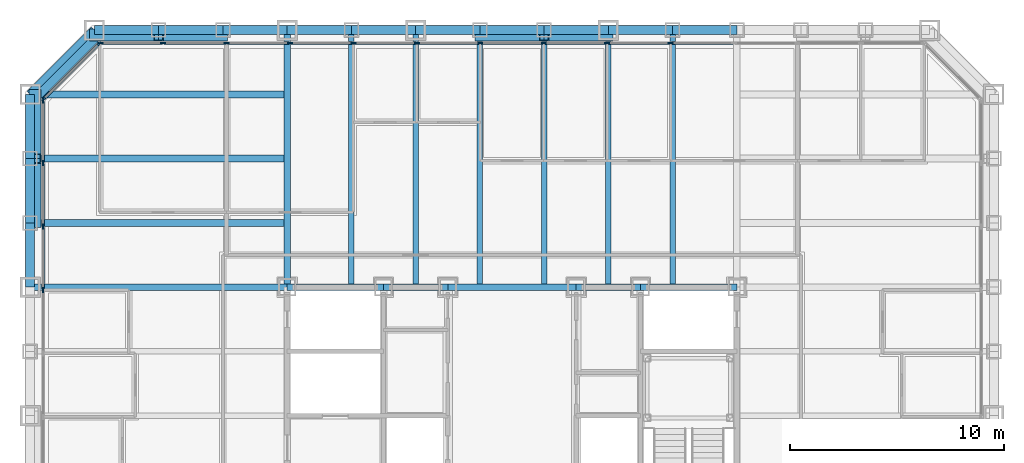
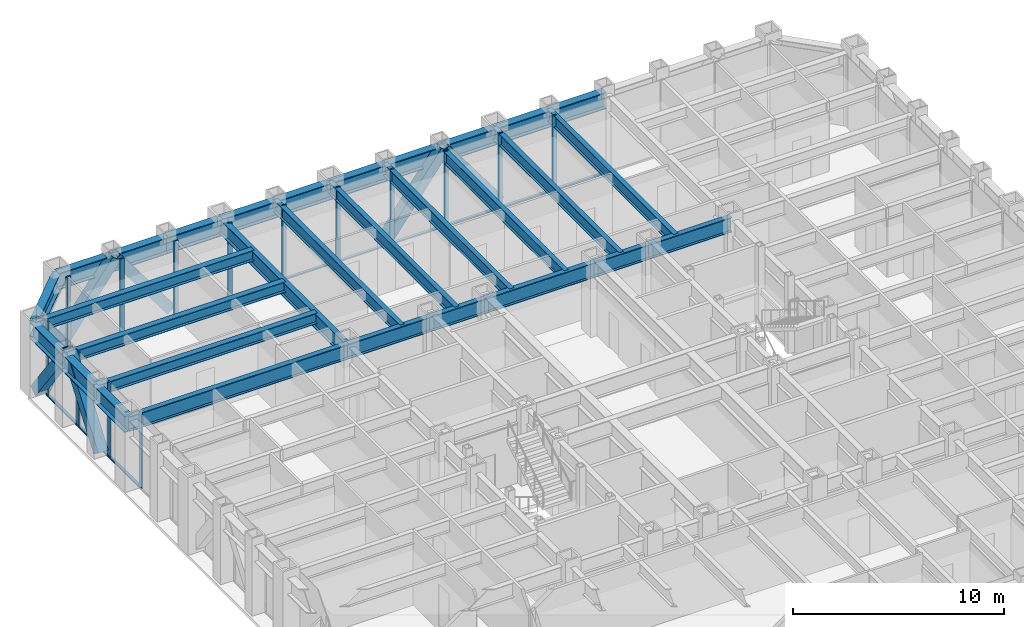
# One storey, part 5 of 16: 37 members, 30 beams, 3 elements without a shape of their own.
"""IFC4 building model written with IfcOpenShell, lengths in metres."""

from ifc_helpers import new_model, si_unit, direction, frame, origin, origin_2d, place, context, subcontext, project, spatial, rectangle, hollow_rectangle, i_section, extrude, material, layer, layer_set, material_profile, profile_set, type_object, element, aggregate, save


model = new_model("IFC4")

# Units and contexts
model_context = context("Model", 3, precision=1e-05, world=origin(), true_north=direction((0.0, 1.0)))
body_context = subcontext(model_context, "Body", "Model", "MODEL_VIEW")
ifc_project = project(units=[si_unit("LENGTHUNIT", "METRE"), si_unit("AREAUNIT", "SQUARE_METRE"), si_unit("VOLUMEUNIT", "CUBIC_METRE"), si_unit("PLANEANGLEUNIT", "RADIAN"), si_unit("MASSUNIT", "GRAM", prefix="KILO")], contexts=[model_context])

# Site, building, storey
site_placement = place(None, origin())
site = spatial("IfcSite", under=ifc_project, at=site_placement, CompositionType="ELEMENT")
building_placement = place(site_placement, origin())
building = spatial("IfcBuilding", under=site, at=building_placement, Name="Chuquiago Exchange Tower", CompositionType="ELEMENT")
storey_placement = place(building_placement, frame((0.0, 0.0, 78.300048828125)))
storey = spatial("IfcBuildingStorey", under=building, at=storey_placement, Name="L16", CompositionType="ELEMENT", Elevation=78.300048828125)

# Beams
ifc_material_1 = material(Name="Steel ASTM A992", Category="steel")
ifc_material_profile_1 = material_profile(ifc_material_1, i_section(OverallWidth=0.2919921875, OverallDepth=0.8583984375, WebThickness=0.01708984375, FlangeThickness=0.031005859375, at=origin_2d()), Name="W33X169")
ifc_profile_set_1 = profile_set([ifc_material_profile_1], Name="Steel ASTM A992")
beam_type_1 = type_object("IfcBeamType", Name="B3 W33X169", PredefinedType="BEAM", material=ifc_profile_set_1)
beam_1_placement = place(storey_placement, frame((12.0, 33.0, 3.610595703125), z_axis=(1.0, 0.0, 0.0), x_axis=(0.0, 1.0, 0.0)))
element("IfcBeam", 1, at=beam_1_placement, inside=storey, type_object=beam_type_1, Name="CB-L17-12_33-16.5_33", PredefinedType="BEAM", context=body_context, shape_type="SweptSolid", body=[
    extrude(i_section(OverallWidth=0.2919921875, OverallDepth=0.8583984375, WebThickness=0.01708984375, FlangeThickness=0.031005859375, at=origin_2d()), origin(), (0.0, 0.0, 1.0), 4.5),
])
beam_2_placement = place(storey_placement, frame((16.5, 33.0, 3.610595703125), z_axis=(1.0, 0.0, 0.0), x_axis=(0.0, 1.0, 0.0)))
element("IfcBeam", 2, at=beam_2_placement, inside=storey, type_object=beam_type_1, Name="CB-L17-16.5_33-19.5_33", PredefinedType="BEAM", context=body_context, shape_type="SweptSolid", body=[
    extrude(i_section(OverallWidth=0.2919921875, OverallDepth=0.8583984375, WebThickness=0.01708984375, FlangeThickness=0.031005859375, at=origin_2d()), origin(), (0.0, 0.0, 1.0), 3.0),
])
beam_3_placement = place(storey_placement, frame((19.5, 33.0, 3.610595703125), z_axis=(1.0, 0.0, 0.0), x_axis=(0.0, 1.0, 0.0)))
element("IfcBeam", 3, at=beam_3_placement, inside=storey, type_object=beam_type_1, Name="CB-L17-19.5_33-25.5_33", PredefinedType="BEAM", context=body_context, shape_type="SweptSolid", body=[
    extrude(i_section(OverallWidth=0.2919921875, OverallDepth=0.8583984375, WebThickness=0.01708984375, FlangeThickness=0.031005859375, at=origin_2d()), origin(), (0.0, 0.0, 1.0), 6.0),
])
beam_4_placement = place(storey_placement, frame((25.5, 33.0, 3.610595703125), z_axis=(1.0, 0.0, 0.0), x_axis=(0.0, 1.0, 0.0)))
element("IfcBeam", 4, at=beam_4_placement, inside=storey, type_object=beam_type_1, Name="CB-L17-25.5_33-28.5_33", PredefinedType="BEAM", context=body_context, shape_type="SweptSolid", body=[
    extrude(i_section(OverallWidth=0.2919921875, OverallDepth=0.8583984375, WebThickness=0.01708984375, FlangeThickness=0.031005859375, at=origin_2d()), origin(), (0.0, 0.0, 1.0), 3.0),
])
beam_5_placement = place(storey_placement, frame((28.5, 33.0, 3.610595703125), z_axis=(1.0, 0.0, 0.0), x_axis=(0.0, 1.0, 0.0)))
element("IfcBeam", 5, at=beam_5_placement, inside=storey, type_object=beam_type_1, Name="CB-L17-28.5_33-33_33", PredefinedType="BEAM", context=body_context, shape_type="SweptSolid", body=[
    extrude(i_section(OverallWidth=0.2919921875, OverallDepth=0.8583984375, WebThickness=0.01708984375, FlangeThickness=0.031005859375, at=origin_2d()), origin(), (0.0, 0.0, 1.0), 4.5),
])
ifc_material_2 = material(Name="Steel ASTM A992", Category="steel")
ifc_material_profile_2 = material_profile(ifc_material_2, i_section(OverallWidth=0.256591796875, OverallDepth=0.693359375, WebThickness=0.014404296875, FlangeThickness=0.023681640625, at=origin_2d()), Name="W27X114")
ifc_profile_set_2 = profile_set([ifc_material_profile_2], Name="Steel ASTM A992")
beam_type_2 = type_object("IfcBeamType", Name="B4 W27X114", PredefinedType="BEAM", material=ifc_profile_set_2)
for number, where, z_axis, x_axis, name in (
    (6, (15.0, 33.0, 3.693359375), (0.0, 1.0, 0.0), (-1.0, 0.0, 0.0), "FB-L17-infill-15_33-15_45-0"),
    (7, (18.0, 33.0, 3.693359375), (0.0, 1.0, 0.0), (-1.0, 0.0, 0.0), "FB-L17-infill-18_33-18_45-0"),
    (8, (21.0, 33.0, 3.693359375), (0.0, 1.0, 0.0), (-1.0, 0.0, 0.0), "FB-L17-infill-21_33-21_45-0"),
    (9, (24.0, 33.0, 3.693359375), (0.0, 1.0, 0.0), (-1.0, 0.0, 0.0), "FB-L17-infill-24_33-24_45-0"),
    (10, (27.0, 33.0, 3.693359375), (0.0, 1.0, 0.0), (-1.0, 0.0, 0.0), "FB-L17-infill-27_33-27_45-0"),
    (11, (30.0, 33.0, 3.693359375), (0.0, 1.0, 0.0), (-1.0, 0.0, 0.0), "FB-L17-infill-30_33-30_45-0"),
):
    element("IfcBeam", number, at=place(storey_placement, frame(where, z_axis=z_axis, x_axis=x_axis)), inside=storey, type_object=beam_type_2, Name=name, PredefinedType="BEAM", context=body_context, shape_type="SweptSolid", body=[
        extrude(i_section(OverallWidth=0.256591796875, OverallDepth=0.693359375, WebThickness=0.014404296875, FlangeThickness=0.023681640625, at=origin_2d()), origin(), (0.0, 0.0, 1.0), 12.0),
    ])
ifc_material_3 = material(Name="Steel ASTM A992", Category="steel")
ifc_material_profile_3 = material_profile(ifc_material_3, i_section(OverallWidth=0.3251953125, OverallDepth=0.6171875, WebThickness=0.013916015625, FlangeThickness=0.021484375, at=origin_2d()), Name="W24X117")
ifc_profile_set_3 = profile_set([ifc_material_profile_3], Name="Steel ASTM A992")
beam_type_3 = type_object("IfcBeamType", Name="B5 W24X117", PredefinedType="BEAM", material=ifc_profile_set_3)
for number, where, z_axis, x_axis, name in (
    (12, (12.0, 36.0, 3.7314453125), (-1.0, 0.0, 0.0), (0.0, -1.0, 0.0), "FB-L17-corner-12_36--0_36-0"),
    (13, (12.0, 39.0, 3.7314453125), (-1.0, 0.0, 0.0), (0.0, -1.0, 0.0), "FB-L17-corner-12_39--0_39-0"),
    (14, (12.0, 42.0, 3.7314453125), (-1.0, 0.0, 0.0), (0.0, -1.0, 0.0), "FB-L17-corner-12_42--0_42-0"),
):
    element("IfcBeam", number, at=place(storey_placement, frame(where, z_axis=z_axis, x_axis=x_axis)), inside=storey, type_object=beam_type_3, Name=name, PredefinedType="BEAM", context=body_context, shape_type="SweptSolid", body=[
        extrude(i_section(OverallWidth=0.3251953125, OverallDepth=0.6171875, WebThickness=0.013916015625, FlangeThickness=0.021484375, at=origin_2d()), origin(), (0.0, 0.0, 1.0), 12.0),
    ])

# Curtain wall, members
ifc_material_4 = material(Name="Aluminium curtain wall system", Category="aluminium")
ifc_layer_1 = layer(ifc_material_4, 0.25)
ifc_layer_set_1 = layer_set([ifc_layer_1], Name="CW1 trading floor curtain wall")
curtain_wall_type_1 = type_object("IfcCurtainWallType", Name="CW1 trading floor curtain wall", PredefinedType="NOTDEFINED", material=ifc_layer_set_1)
curtain_wall_1_placement = place(storey_placement, origin())
curtain_wall_1 = element("IfcCurtainWall", 15, at=curtain_wall_1_placement, inside=storey, type_object=curtain_wall_type_1, Name="CW1 curtain wall L16", PredefinedType="NOTDEFINED")
ifc_material_5 = material(Name="Aluminium mullion, pale anodised", Category="aluminium")
ifc_material_profile_4 = material_profile(ifc_material_5, rectangle(XDim=0.074951171875, YDim=0.25, at=origin_2d()), Name="AL 75x250")
ifc_profile_set_4 = profile_set([ifc_material_profile_4], Name="Aluminium mullion, pale anodised")
member_type_1 = type_object("IfcMemberType", Name="CW1-M mullion 75x250", PredefinedType="MULLION", material=ifc_profile_set_4)
member_1_placement = place(storey_placement, frame((29.904541015625, 44.39990234375, -0.300048828125), z_axis=(0.0, 0.0, 1.0), x_axis=(0.0, -1.0, 0.0)))
member_1 = element("IfcMember", 16, at=member_1_placement, type_object=member_type_1, Name="CW1 mullion 5", PredefinedType="MULLION", context=body_context, shape_type="SweptSolid", body=[
    extrude(rectangle(XDim=0.074951171875, YDim=0.25, at=origin_2d()), origin(), (0.0, 0.0, 1.0), 4.340087890625),
])
member_2_placement = place(storey_placement, frame((26.942626953125, 44.39990234375, -0.300048828125), z_axis=(0.0, 0.0, 1.0), x_axis=(0.0, -1.0, 0.0)))
member_2 = element("IfcMember", 17, at=member_2_placement, type_object=member_type_1, Name="CW1 mullion 6", PredefinedType="MULLION", context=body_context, shape_type="SweptSolid", body=[
    extrude(rectangle(XDim=0.074951171875, YDim=0.25, at=origin_2d()), origin(), (0.0, 0.0, 1.0), 4.340087890625),
])
member_3_placement = place(storey_placement, frame((23.98095703125, 44.39990234375, -0.300048828125), z_axis=(0.0, 0.0, 1.0), x_axis=(0.0, -1.0, 0.0)))
member_3 = element("IfcMember", 18, at=member_3_placement, type_object=member_type_1, Name="CW1 mullion 7", PredefinedType="MULLION", context=body_context, shape_type="SweptSolid", body=[
    extrude(rectangle(XDim=0.074951171875, YDim=0.25, at=origin_2d()), origin(), (0.0, 0.0, 1.0), 4.340087890625),
])
member_4_placement = place(storey_placement, frame((21.01904296875, 44.39990234375, -0.300048828125), z_axis=(0.0, 0.0, 1.0), x_axis=(0.0, -1.0, 0.0)))
member_4 = element("IfcMember", 19, at=member_4_placement, type_object=member_type_1, Name="CW1 mullion 8", PredefinedType="MULLION", context=body_context, shape_type="SweptSolid", body=[
    extrude(rectangle(XDim=0.074951171875, YDim=0.25, at=origin_2d()), origin(), (0.0, 0.0, 1.0), 4.340087890625),
])
member_5_placement = place(storey_placement, frame((18.057373046875, 44.39990234375, -0.300048828125), z_axis=(0.0, 0.0, 1.0), x_axis=(0.0, -1.0, 0.0)))
member_5 = element("IfcMember", 20, at=member_5_placement, type_object=member_type_1, Name="CW1 mullion 9", PredefinedType="MULLION", context=body_context, shape_type="SweptSolid", body=[
    extrude(rectangle(XDim=0.074951171875, YDim=0.25, at=origin_2d()), origin(), (0.0, 0.0, 1.0), 4.340087890625),
])
member_6_placement = place(storey_placement, frame((15.095458984375, 44.39990234375, -0.300048828125), z_axis=(0.0, 0.0, 1.0), x_axis=(0.0, -1.0, 0.0)))
member_6 = element("IfcMember", 21, at=member_6_placement, type_object=member_type_1, Name="CW1 mullion 10", PredefinedType="MULLION", context=body_context, shape_type="SweptSolid", body=[
    extrude(rectangle(XDim=0.074951171875, YDim=0.25, at=origin_2d()), origin(), (0.0, 0.0, 1.0), 4.340087890625),
])
member_7_placement = place(storey_placement, frame((12.1337890625, 44.39990234375, -0.300048828125), z_axis=(0.0, 0.0, 1.0), x_axis=(0.0, -1.0, 0.0)))
member_7 = element("IfcMember", 22, at=member_7_placement, type_object=member_type_1, Name="CW1 mullion 11", PredefinedType="MULLION", context=body_context, shape_type="SweptSolid", body=[
    extrude(rectangle(XDim=0.074951171875, YDim=0.25, at=origin_2d()), origin(), (0.0, 0.0, 1.0), 4.340087890625),
])
member_8_placement = place(storey_placement, frame((9.172119140625, 44.39990234375, -0.300048828125), z_axis=(0.0, 0.0, 1.0), x_axis=(0.0, -1.0, 0.0)))
member_8 = element("IfcMember", 23, at=member_8_placement, type_object=member_type_1, Name="CW1 mullion 12", PredefinedType="MULLION", context=body_context, shape_type="SweptSolid", body=[
    extrude(rectangle(XDim=0.074951171875, YDim=0.25, at=origin_2d()), origin(), (0.0, 0.0, 1.0), 4.340087890625),
])
member_9_placement = place(storey_placement, frame((6.210205078125, 44.39990234375, -0.300048828125), z_axis=(0.0, 0.0, 1.0), x_axis=(0.0, -1.0, 0.0)))
member_9 = element("IfcMember", 24, at=member_9_placement, type_object=member_type_1, Name="CW1 mullion 13", PredefinedType="MULLION", context=body_context, shape_type="SweptSolid", body=[
    extrude(rectangle(XDim=0.074951171875, YDim=0.25, at=origin_2d()), origin(), (0.0, 0.0, 1.0), 4.340087890625),
])
member_10_placement = place(storey_placement, frame((3.285888671875, 44.39990234375, -0.300048828125), z_axis=(0.0, 0.0, 1.0), x_axis=(0.0, -1.0, 0.0)))
member_10 = element("IfcMember", 25, at=member_10_placement, type_object=member_type_1, Name="CW1 mullion 14", PredefinedType="MULLION", context=body_context, shape_type="SweptSolid", body=[
    extrude(rectangle(XDim=0.074951171875, YDim=0.25, at=origin_2d()), origin(), (0.0, 0.0, 1.0), 4.340087890625),
])

curtain_wall_2_placement = place(storey_placement, origin())
curtain_wall_2 = element("IfcCurtainWall", 26, at=curtain_wall_2_placement, inside=storey, type_object=curtain_wall_type_1, Name="CW1 curtain wall L16", PredefinedType="NOTDEFINED")
member_11_placement = place(storey_placement, frame((0.60009765625, 41.714111328125, -0.300048828125), z_axis=(0.0, 0.0, 1.0), x_axis=(1.0, 0.0, 0.0)))
member_11 = element("IfcMember", 27, at=member_11_placement, type_object=member_type_1, Name="CW1 mullion 1", PredefinedType="MULLION", context=body_context, shape_type="SweptSolid", body=[
    extrude(rectangle(XDim=0.074951171875, YDim=0.25, at=origin_2d()), origin(), (0.0, 0.0, 1.0), 4.340087890625),
])
member_12_placement = place(storey_placement, frame((0.60009765625, 38.789794921875, -0.300048828125), z_axis=(0.0, 0.0, 1.0), x_axis=(1.0, 0.0, 0.0)))
member_12 = element("IfcMember", 28, at=member_12_placement, type_object=member_type_1, Name="CW1 mullion 2", PredefinedType="MULLION", context=body_context, shape_type="SweptSolid", body=[
    extrude(rectangle(XDim=0.074951171875, YDim=0.25, at=origin_2d()), origin(), (0.0, 0.0, 1.0), 4.340087890625),
])
member_13_placement = place(storey_placement, frame((0.60009765625, 35.827880859375, -0.300048828125), z_axis=(0.0, 0.0, 1.0), x_axis=(1.0, 0.0, 0.0)))
member_13 = element("IfcMember", 29, at=member_13_placement, type_object=member_type_1, Name="CW1 mullion 3", PredefinedType="MULLION", context=body_context, shape_type="SweptSolid", body=[
    extrude(rectangle(XDim=0.074951171875, YDim=0.25, at=origin_2d()), origin(), (0.0, 0.0, 1.0), 4.340087890625),
])
member_14_placement = place(storey_placement, frame((0.60009765625, 32.8662109375, -0.300048828125), z_axis=(0.0, 0.0, 1.0), x_axis=(1.0, 0.0, 0.0)))
member_14 = element("IfcMember", 30, at=member_14_placement, type_object=member_type_1, Name="CW1 mullion 4", PredefinedType="MULLION", context=body_context, shape_type="SweptSolid", body=[
    extrude(rectangle(XDim=0.074951171875, YDim=0.25, at=origin_2d()), origin(), (0.0, 0.0, 1.0), 4.340087890625),
])

# Member
ifc_material_6 = material(Name="Aluminium transom, pale anodised", Category="aluminium")
ifc_material_profile_5 = material_profile(ifc_material_6, rectangle(XDim=0.14990234375, YDim=0.074951171875, at=origin_2d()), Name="AL 150x75")
ifc_profile_set_5 = profile_set([ifc_material_profile_5], Name="Aluminium transom, pale anodised")
member_type_2 = type_object("IfcMemberType", Name="CW1-T transom 75x150", PredefinedType="MULLION", material=ifc_profile_set_5)
member_15_placement = place(storey_placement, frame((32.82861328125, 44.39990234375, -0.262451171875), z_axis=(-1.0, 0.0, 0.0), x_axis=(0.0, -1.0, 0.0)))
member_15 = element("IfcMember", 31, at=member_15_placement, type_object=member_type_2, Name="CW1 transom 4.1", PredefinedType="MULLION", context=body_context, shape_type="SweptSolid", body=[
    extrude(rectangle(XDim=0.14990234375, YDim=0.074951171875, at=origin_2d()), origin(), (0.0, 0.0, 1.0), 2.88671875),
])

member_16_placement = place(storey_placement, frame((29.866943359375, 44.39990234375, -0.262451171875), z_axis=(-1.0, 0.0, 0.0), x_axis=(0.0, -1.0, 0.0)))
member_16 = element("IfcMember", 32, at=member_16_placement, type_object=member_type_2, Name="CW1 transom 5.1", PredefinedType="MULLION", context=body_context, shape_type="SweptSolid", body=[
    extrude(rectangle(XDim=0.14990234375, YDim=0.074951171875, at=origin_2d()), origin(), (0.0, 0.0, 1.0), 2.88671875),
])

member_17_placement = place(storey_placement, frame((26.9052734375, 44.39990234375, -0.262451171875), z_axis=(-1.0, 0.0, 0.0), x_axis=(0.0, -1.0, 0.0)))
member_17 = element("IfcMember", 33, at=member_17_placement, type_object=member_type_2, Name="CW1 transom 6.1", PredefinedType="MULLION", context=body_context, shape_type="SweptSolid", body=[
    extrude(rectangle(XDim=0.14990234375, YDim=0.074951171875, at=origin_2d()), origin(), (0.0, 0.0, 1.0), 2.886962890625),
])

member_18_placement = place(storey_placement, frame((23.943359375, 44.39990234375, -0.262451171875), z_axis=(-1.0, 0.0, 0.0), x_axis=(0.0, -1.0, 0.0)))
member_18 = element("IfcMember", 34, at=member_18_placement, type_object=member_type_2, Name="CW1 transom 7.1", PredefinedType="MULLION", context=body_context, shape_type="SweptSolid", body=[
    extrude(rectangle(XDim=0.14990234375, YDim=0.074951171875, at=origin_2d()), origin(), (0.0, 0.0, 1.0), 2.88671875),
])

member_19_placement = place(storey_placement, frame((20.981689453125, 44.39990234375, -0.262451171875), z_axis=(-1.0, 0.0, 0.0), x_axis=(0.0, -1.0, 0.0)))
member_19 = element("IfcMember", 35, at=member_19_placement, type_object=member_type_2, Name="CW1 transom 8.1", PredefinedType="MULLION", context=body_context, shape_type="SweptSolid", body=[
    extrude(rectangle(XDim=0.14990234375, YDim=0.074951171875, at=origin_2d()), origin(), (0.0, 0.0, 1.0), 2.886962890625),
])

member_20_placement = place(storey_placement, frame((18.019775390625, 44.39990234375, -0.262451171875), z_axis=(-1.0, 0.0, 0.0), x_axis=(0.0, -1.0, 0.0)))
member_20 = element("IfcMember", 36, at=member_20_placement, type_object=member_type_2, Name="CW1 transom 9.1", PredefinedType="MULLION", context=body_context, shape_type="SweptSolid", body=[
    extrude(rectangle(XDim=0.14990234375, YDim=0.074951171875, at=origin_2d()), origin(), (0.0, 0.0, 1.0), 2.88671875),
])

member_21_placement = place(storey_placement, frame((15.05810546875, 44.39990234375, -0.262451171875), z_axis=(-1.0, 0.0, 0.0), x_axis=(0.0, -1.0, 0.0)))
member_21 = element("IfcMember", 37, at=member_21_placement, type_object=member_type_2, Name="CW1 transom 10.1", PredefinedType="MULLION", context=body_context, shape_type="SweptSolid", body=[
    extrude(rectangle(XDim=0.14990234375, YDim=0.074951171875, at=origin_2d()), origin(), (0.0, 0.0, 1.0), 2.88671875),
])

member_22_placement = place(storey_placement, frame((12.09619140625, 44.39990234375, -0.262451171875), z_axis=(-1.0, 0.0, 0.0), x_axis=(0.0, -1.0, 0.0)))
member_22 = element("IfcMember", 38, at=member_22_placement, type_object=member_type_2, Name="CW1 transom 11.1", PredefinedType="MULLION", context=body_context, shape_type="SweptSolid", body=[
    extrude(rectangle(XDim=0.14990234375, YDim=0.074951171875, at=origin_2d()), origin(), (0.0, 0.0, 1.0), 2.88671875),
])

member_23_placement = place(storey_placement, frame((9.134521484375, 44.39990234375, -0.262451171875), z_axis=(-1.0, 0.0, 0.0), x_axis=(0.0, -1.0, 0.0)))
member_23 = element("IfcMember", 39, at=member_23_placement, type_object=member_type_2, Name="CW1 transom 12.1", PredefinedType="MULLION", context=body_context, shape_type="SweptSolid", body=[
    extrude(rectangle(XDim=0.14990234375, YDim=0.074951171875, at=origin_2d()), origin(), (0.0, 0.0, 1.0), 2.88671875),
])

member_24_placement = place(storey_placement, frame((6.1728515625, 44.39990234375, -0.262451171875), z_axis=(-1.0, 0.0, 0.0), x_axis=(0.0, -1.0, 0.0)))
member_24 = element("IfcMember", 40, at=member_24_placement, type_object=member_type_2, Name="CW1 transom 13.1", PredefinedType="MULLION", context=body_context, shape_type="SweptSolid", body=[
    extrude(rectangle(XDim=0.14990234375, YDim=0.074951171875, at=origin_2d()), origin(), (0.0, 0.0, 1.0), 2.849365234375),
])

aggregate(curtain_wall_1, [member_1, member_2, member_3, member_4, member_5, member_6, member_7, member_8, member_9, member_10, member_15, member_16, member_17, member_18, member_19, member_20, member_21, member_22, member_23, member_24])

member_25_placement = place(storey_placement, frame((0.60009765625, 41.676513671875, -0.262451171875), z_axis=(0.0, -1.0, 0.0), x_axis=(1.0, 0.0, 0.0)))
member_25 = element("IfcMember", 41, at=member_25_placement, type_object=member_type_2, Name="CW1 transom 1.1", PredefinedType="MULLION", context=body_context, shape_type="SweptSolid", body=[
    extrude(rectangle(XDim=0.14990234375, YDim=0.074951171875, at=origin_2d()), origin(), (0.0, 0.0, 1.0), 2.849365234375),
])

member_26_placement = place(storey_placement, frame((0.60009765625, 38.752197265625, -0.262451171875), z_axis=(0.0, -1.0, 0.0), x_axis=(1.0, 0.0, 0.0)))
member_26 = element("IfcMember", 42, at=member_26_placement, type_object=member_type_2, Name="CW1 transom 2.1", PredefinedType="MULLION", context=body_context, shape_type="SweptSolid", body=[
    extrude(rectangle(XDim=0.14990234375, YDim=0.074951171875, at=origin_2d()), origin(), (0.0, 0.0, 1.0), 2.88671875),
])

member_27_placement = place(storey_placement, frame((0.60009765625, 35.79052734375, -0.262451171875), z_axis=(0.0, -1.0, 0.0), x_axis=(1.0, 0.0, 0.0)))
member_27 = element("IfcMember", 43, at=member_27_placement, type_object=member_type_2, Name="CW1 transom 3.1", PredefinedType="MULLION", context=body_context, shape_type="SweptSolid", body=[
    extrude(rectangle(XDim=0.14990234375, YDim=0.074951171875, at=origin_2d()), origin(), (0.0, 0.0, 1.0), 2.88671875),
])

aggregate(curtain_wall_2, [member_11, member_12, member_13, member_14, member_25, member_26, member_27])

# Curtain wall, members
ifc_material_7 = material(Name="Aluminium curtain wall system", Category="aluminium")
ifc_layer_2 = layer(ifc_material_7, 0.199951171875)
ifc_layer_set_2 = layer_set([ifc_layer_2], Name="CW3 facet curtain wall")
curtain_wall_type_2 = type_object("IfcCurtainWallType", Name="CW3 facet curtain wall", PredefinedType="NOTDEFINED", material=ifc_layer_set_2)
curtain_wall_3_placement = place(storey_placement, origin())
curtain_wall_3 = element("IfcCurtainWall", 44, at=curtain_wall_3_placement, inside=storey, type_object=curtain_wall_type_2, Name="CW3 curtain wall L16", PredefinedType="NOTDEFINED")
ifc_material_8 = material(Name="Aluminium mullion, pale anodised", Category="aluminium")
ifc_material_profile_6 = material_profile(ifc_material_8, rectangle(XDim=0.06494140625, YDim=0.199951171875, at=origin_2d()), Name="AL 65x200")
ifc_profile_set_6 = profile_set([ifc_material_profile_6], Name="Aluminium mullion, pale anodised")
member_type_3 = type_object("IfcMemberType", Name="CW3-M mullion 65x200", PredefinedType="MULLION", material=ifc_profile_set_6)
member_28_placement = place(storey_placement, frame((3.2255859375, 44.376953125, -0.300048828125), z_axis=(0.0, 0.0, 1.0), x_axis=(0.707106781187, -0.707106781187, 0.0)))
member_28 = element("IfcMember", 45, at=member_28_placement, type_object=member_type_3, Name="CW3 mullion 1", PredefinedType="MULLION", context=body_context, shape_type="SweptSolid", body=[
    extrude(rectangle(XDim=0.06494140625, YDim=0.199951171875, at=origin_2d()), origin(), (0.0, 0.0, 1.0), 4.340087890625),
])
member_29_placement = place(storey_placement, frame((0.623046875, 41.7744140625, -0.300048828125), z_axis=(0.0, 0.0, 1.0), x_axis=(0.707106781187, -0.707106781187, 0.0)))
member_29 = element("IfcMember", 46, at=member_29_placement, type_object=member_type_3, Name="CW3 mullion 2", PredefinedType="MULLION", context=body_context, shape_type="SweptSolid", body=[
    extrude(rectangle(XDim=0.06494140625, YDim=0.199951171875, at=origin_2d()), origin(), (0.0, 0.0, 1.0), 4.340087890625),
])
ifc_material_9 = material(Name="Aluminium transom, pale anodised", Category="aluminium")
ifc_material_profile_7 = material_profile(ifc_material_9, rectangle(XDim=0.139892578125, YDim=0.06494140625, at=origin_2d()), Name="AL 140x65")
ifc_profile_set_7 = profile_set([ifc_material_profile_7], Name="Aluminium transom, pale anodised")
member_type_4 = type_object("IfcMemberType", Name="CW3-T transom 65x140", PredefinedType="MULLION", material=ifc_profile_set_7)
member_30_placement = place(storey_placement, frame((3.20263671875, 44.35400390625, -0.267578125), z_axis=(-0.707106781187, -0.707106781187, 0.0), x_axis=(0.707106781187, -0.707106781187, 0.0)))
member_30 = element("IfcMember", 47, at=member_30_placement, type_object=member_type_4, Name="CW3 transom 1.1", PredefinedType="MULLION", context=body_context, shape_type="SweptSolid", body=[
    extrude(rectangle(XDim=0.139892578125, YDim=0.06494140625, at=origin_2d()), origin(), (0.0, 0.0, 1.0), 3.61572265625),
])
aggregate(curtain_wall_3, [member_28, member_29, member_30])

# Beams
ifc_material_10 = material(Name="Steel ASTM A992", Category="steel")
ifc_material_profile_8 = material_profile(ifc_material_10, i_section(OverallWidth=0.2919921875, OverallDepth=0.8583984375, WebThickness=0.01708984375, FlangeThickness=0.031005859375, at=origin_2d()), Name="W33X169")
ifc_profile_set_8 = profile_set([ifc_material_profile_8], Name="Steel ASTM A992")
beam_type_4 = type_object("IfcBeamType", Name="G2 W33X169", PredefinedType="BEAM", material=ifc_profile_set_8)
for number, where, z_axis, x_axis, name in (
    (48, (12.0, 33.0, 3.610595703125), (0.0, 1.0, 0.0), (-1.0, 0.0, 0.0), "FB-L17-girder-12_33-12_45-0"),
    (49, (12.0, 33.0, 3.610595703125), (-1.0, 0.0, 0.0), (0.0, -1.0, 0.0), "FB-L17-girder-12_33--0_33-0"),
):
    element("IfcBeam", number, at=place(storey_placement, frame(where, z_axis=z_axis, x_axis=x_axis)), inside=storey, type_object=beam_type_4, Name=name, PredefinedType="BEAM", context=body_context, shape_type="SweptSolid", body=[
        extrude(i_section(OverallWidth=0.2919921875, OverallDepth=0.8583984375, WebThickness=0.01708984375, FlangeThickness=0.031005859375, at=origin_2d()), origin(), (0.0, 0.0, 1.0), 12.0),
    ])

# Members
ifc_material_11 = material(Name="Steel ASTM A500 Grade C", Category="steel")
ifc_material_profile_9 = material_profile(ifc_material_11, hollow_rectangle(XDim=0.406494140625, YDim=0.406494140625, WallThickness=0.0146484375, at=origin_2d()), Name="HSS16X16X5/8")
ifc_profile_set_9 = profile_set([ifc_material_profile_9], Name="Steel ASTM A500 Grade C")
member_type_5 = type_object("IfcMemberType", Name="LB4 HSS16X16X5/8", PredefinedType="BRACE", material=ifc_profile_set_9)
member_31_placement = place(storey_placement, frame((3.21337890625, 44.78662109375, 0.0), z_axis=(-0.512077265487, -0.512077265487, 0.689604051861), x_axis=(0.707106781187, -0.707106781187, 0.0)))
element("IfcMember", 50, at=member_31_placement, inside=storey, type_object=member_type_5, Name="LB-L16-3_45-0_42", PredefinedType="BRACE", context=body_context, shape_type="SweptSolid", body=[
    extrude(hollow_rectangle(XDim=0.406494140625, YDim=0.406494140625, WallThickness=0.0146484375, at=origin_2d()), origin(), (0.0, 0.0, 1.0), 5.8583984375),
])
ifc_material_12 = material(Name="Steel ASTM A572 Grade 50", Category="steel")
ifc_material_profile_10 = material_profile(ifc_material_12, hollow_rectangle(XDim=0.550048828125, YDim=0.550048828125, WallThickness=0.044921875, at=origin_2d()), Name="BOX550X550X45")
ifc_profile_set_10 = profile_set([ifc_material_profile_10], Name="Steel ASTM A572 Grade 50")
member_type_6 = type_object("IfcMemberType", Name="MB1 BOX550X550X45", PredefinedType="BRACE", material=ifc_profile_set_10)
for number, where, z_axis, x_axis, name in (
    (51, (27.0, 44.77001953125, 0.0), (-0.596173923302, 0.0, 0.802855312728), (0.0, -1.0, 0.0), "Mega diagonal L16 N face"),
    (52, (21.0, 44.77001953125, 0.0), (0.596173923302, 0.0, 0.802855312728), (0.0, 1.0, 0.0), "Mega diagonal L16 N face"),
    (53, (9.0, 44.77001953125, 0.0), (-0.596173923302, 0.0, 0.802855312728), (0.0, -1.0, 0.0), "Mega diagonal L16 N face"),
    (54, (3.0, 44.77001953125, 0.0), (0.596173923302, 0.0, 0.802855312728), (0.0, 1.0, 0.0), "Mega diagonal L16 N face"),
    (55, (0.22998046875, 42.0, 0.0), (0.0, -0.596173923302, 0.802855312728), (1.0, 0.0, 0.0), "Mega diagonal L16 W face"),
    (56, (0.22998046875, 36.0, 0.0), (0.0, 0.596173923302, 0.802855312728), (-1.0, 0.0, 0.0), "Mega diagonal L16 W face"),
):
    element("IfcMember", number, at=place(storey_placement, frame(where, z_axis=z_axis, x_axis=x_axis)), inside=storey, type_object=member_type_6, Name=name, PredefinedType="BRACE", context=body_context, shape_type="SweptSolid", body=[
        extrude(hollow_rectangle(XDim=0.550048828125, YDim=0.550048828125, WallThickness=0.044921875, at=origin_2d()), origin(), (0.0, 0.0, 1.0), 5.031982421875),
    ])

# Beams
ifc_material_13 = material(Name="Steel ASTM A992", Category="steel")
ifc_material_profile_11 = material_profile(ifc_material_13, i_section(OverallWidth=0.424072265625, OverallDepth=0.947509765625, WebThickness=0.02392578125, FlangeThickness=0.042724609375, at=origin_2d()), Name="W36X302")
ifc_profile_set_11 = profile_set([ifc_material_profile_11], Name="Steel ASTM A992")
beam_type_5 = type_object("IfcBeamType", Name="SP1 W36X302", PredefinedType="SPANDREL", material=ifc_profile_set_11)
for number, where, z_axis, x_axis, name in (
    (57, (33.0, 45.0, 3.566162109375), (-1.0, 0.0, 0.0), (0.0, -1.0, 0.0), "SPB-L17-33_45-30_45"),
    (58, (30.0, 45.0, 3.566162109375), (-1.0, 0.0, 0.0), (0.0, -1.0, 0.0), "SPB-L17-30_45-27_45"),
    (59, (27.0, 45.0, 3.566162109375), (-1.0, 0.0, 0.0), (0.0, -1.0, 0.0), "SPB-L17-27_45-24_45"),
    (60, (24.0, 45.0, 3.566162109375), (-1.0, 0.0, 0.0), (0.0, -1.0, 0.0), "SPB-L17-24_45-21_45"),
    (61, (21.0, 45.0, 3.566162109375), (-1.0, 0.0, 0.0), (0.0, -1.0, 0.0), "SPB-L17-21_45-18_45"),
    (62, (18.0, 45.0, 3.566162109375), (-1.0, 0.0, 0.0), (0.0, -1.0, 0.0), "SPB-L17-18_45-15_45"),
    (63, (15.0, 45.0, 3.566162109375), (-1.0, 0.0, 0.0), (0.0, -1.0, 0.0), "SPB-L17-15_45-12_45"),
    (64, (12.0, 45.0, 3.566162109375), (-1.0, 0.0, 0.0), (0.0, -1.0, 0.0), "SPB-L17-12_45-9_45"),
    (65, (9.0, 45.0, 3.566162109375), (-1.0, 0.0, 0.0), (0.0, -1.0, 0.0), "SPB-L17-9_45-6_45"),
    (66, (6.0, 45.0, 3.566162109375), (-1.0, 0.0, 0.0), (0.0, -1.0, 0.0), "SPB-L17-6_45-3_45"),
):
    element("IfcBeam", number, at=place(storey_placement, frame(where, z_axis=z_axis, x_axis=x_axis)), inside=storey, type_object=beam_type_5, Name=name, PredefinedType="SPANDREL", context=body_context, shape_type="SweptSolid", body=[
        extrude(i_section(OverallWidth=0.424072265625, OverallDepth=0.947509765625, WebThickness=0.02392578125, FlangeThickness=0.042724609375, at=origin_2d()), origin(), (0.0, 0.0, 1.0), 3.0),
    ])
beam_6_placement = place(storey_placement, frame((3.0, 45.0, 3.566162109375), z_axis=(-0.707106781187, -0.707106781187, 0.0), x_axis=(0.707106781187, -0.707106781187, 0.0)))
element("IfcBeam", 67, at=beam_6_placement, inside=storey, type_object=beam_type_5, Name="SPB-L17-3_45-0_42", PredefinedType="SPANDREL", context=body_context, shape_type="SweptSolid", body=[
    extrude(i_section(OverallWidth=0.424072265625, OverallDepth=0.947509765625, WebThickness=0.02392578125, FlangeThickness=0.042724609375, at=origin_2d()), origin(), (0.0, 0.0, 1.0), 4.24267578125),
])
for number, where, z_axis, x_axis, name in (
    (68, (0.0, 42.0, 3.566162109375), (0.0, -1.0, 0.0), (1.0, 0.0, 0.0), "SPB-L17-0_42-0_39"),
    (69, (0.0, 39.0, 3.566162109375), (0.0, -1.0, 0.0), (1.0, 0.0, 0.0), "SPB-L17-0_39-0_36"),
    (70, (0.0, 36.0, 3.566162109375), (0.0, -1.0, 0.0), (1.0, 0.0, 0.0), "SPB-L17-0_36-0_33"),
):
    element("IfcBeam", number, at=place(storey_placement, frame(where, z_axis=z_axis, x_axis=x_axis)), inside=storey, type_object=beam_type_5, Name=name, PredefinedType="SPANDREL", context=body_context, shape_type="SweptSolid", body=[
        extrude(i_section(OverallWidth=0.424072265625, OverallDepth=0.947509765625, WebThickness=0.02392578125, FlangeThickness=0.042724609375, at=origin_2d()), origin(), (0.0, 0.0, 1.0), 3.0),
    ])

save(model, "model.ifc")
